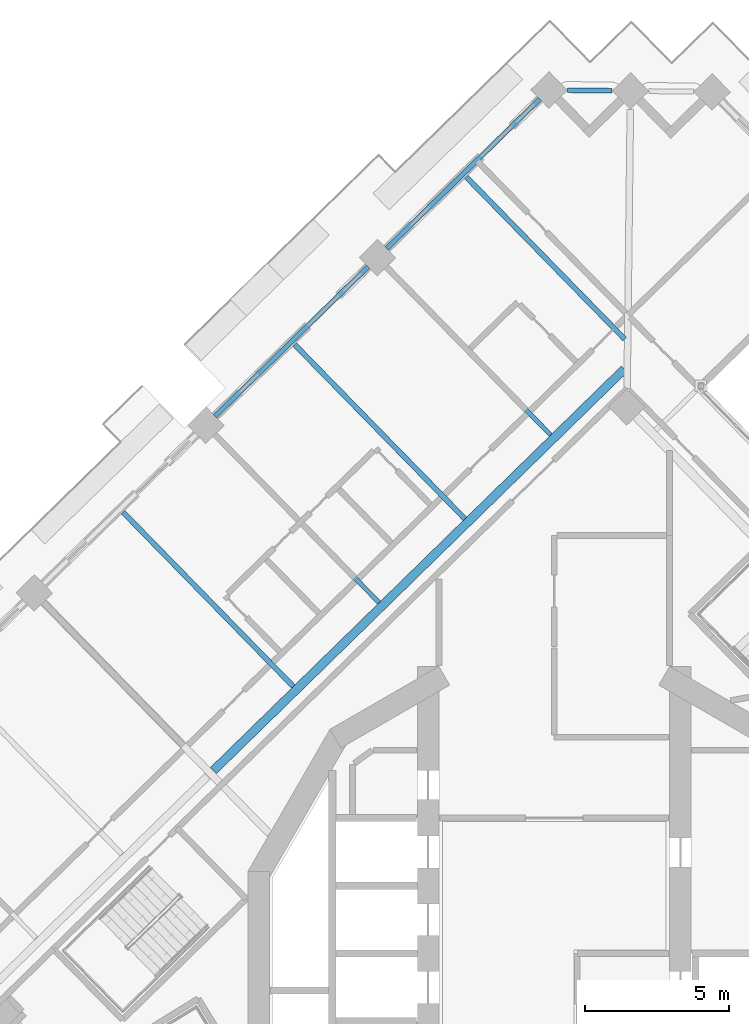
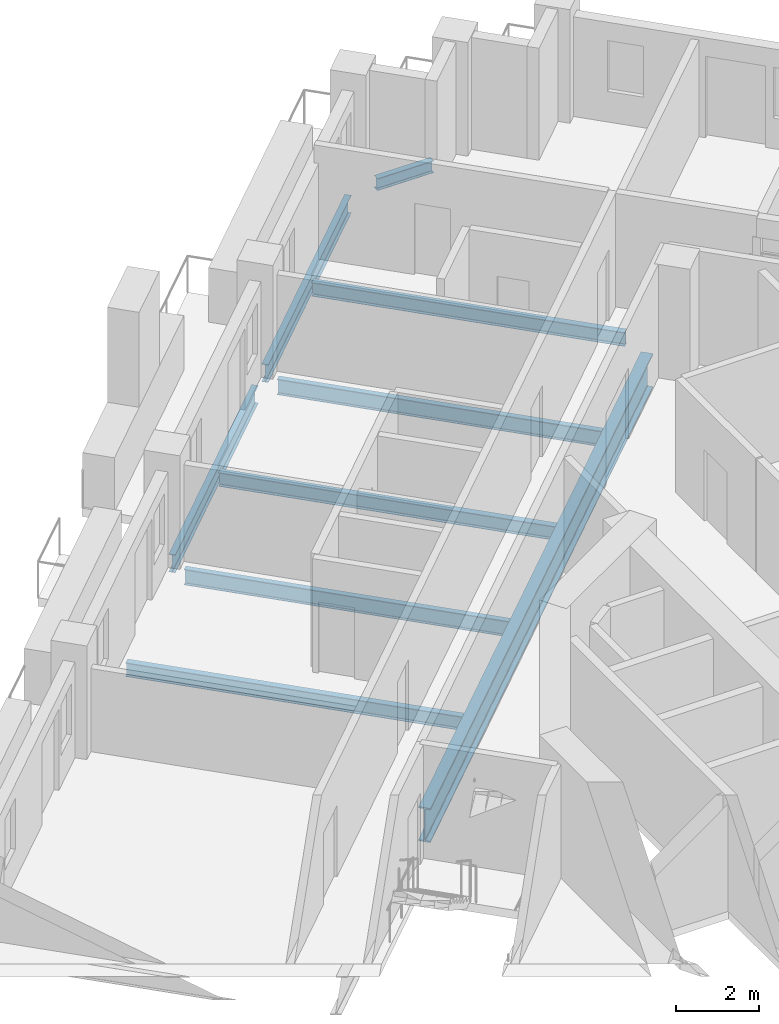
# One storey, part 2 of 20: 9 beams.
"""IFC4 building model written with IfcOpenShell, lengths in metres."""

from ifc_helpers import new_model, si_unit, direction, frame, origin, origin_2d, place, context, subcontext, project, spatial, i_section, extrude, material, material_profile, profile_set, type_object, element, save


model = new_model("IFC4")

# Units and contexts
model_context = context("Model", 3, precision=1e-05, world=origin(), true_north=direction((0.0, 1.0)))
body_context = subcontext(model_context, "Body", "Model", "MODEL_VIEW")
ifc_project = project(units=[si_unit("LENGTHUNIT", "METRE"), si_unit("AREAUNIT", "SQUARE_METRE"), si_unit("VOLUMEUNIT", "CUBIC_METRE"), si_unit("PLANEANGLEUNIT", "RADIAN"), si_unit("MASSUNIT", "GRAM", prefix="KILO")], contexts=[model_context])

# Site, building, storey
site_placement = place(None, origin())
site = spatial("IfcSite", under=ifc_project, at=site_placement, CompositionType="ELEMENT")
building_placement = place(site_placement, origin())
building = spatial("IfcBuilding", under=site, at=building_placement, Name="Cantera Rosa Tower", CompositionType="ELEMENT")
storey_placement = place(building_placement, frame((0.0, 0.0, 209.0)))
storey = spatial("IfcBuildingStorey", under=building, at=storey_placement, Name="L44", CompositionType="ELEMENT", Elevation=209.0)

# Beams
ifc_material_1 = material(Name="Steel ASTM A992 (Fy 345 MPa)", Category="steel")
ifc_material_profile_1 = material_profile(ifc_material_1, i_section(OverallWidth=0.302001953125, OverallDepth=1.010009765625, WebThickness=0.02099609375, FlangeThickness=0.0400390625, FilletRadius=0.030029296875, at=origin_2d()), Name="W1000X350")
ifc_profile_set_1 = profile_set([ifc_material_profile_1], Name="Steel ASTM A992 (Fy 345 MPa)")
beam_type_1 = type_object("IfcBeamType", Name="STEEL BEAM W1000X350", PredefinedType="BEAM", material=ifc_profile_set_1)
beam_1_placement = place(storey_placement, frame((-11.813232421875, 6.353271484375, -0.7548828125), z_axis=(0.715280810147, 0.698837150297, 0.0), x_axis=(-0.698837150297, 0.715280810147, 0.0)))
element("IfcBeam", 1, at=beam_1_placement, inside=storey, type_object=beam_type_1, Name="RB-Z4-02 L44", PredefinedType="BEAM", context=body_context, shape_type="SweptSolid", body=[
    extrude(i_section(OverallWidth=0.302001953125, OverallDepth=1.010009765625, WebThickness=0.02099609375, FlangeThickness=0.0400390625, FilletRadius=0.030029296875, at=origin_2d()), origin(), (0.0, 0.0, 1.0), 19.909912109375),
])
ifc_material_2 = material(Name="Steel ASTM A992 (Fy 345 MPa)", Category="steel")
ifc_material_profile_2 = material_profile(ifc_material_2, i_section(OverallWidth=0.154052734375, OverallDepth=0.4599609375, WebThickness=0.009033203125, FlangeThickness=0.015380859375, FilletRadius=0.01025390625, at=origin_2d()), Name="W460X68")
ifc_profile_set_2 = profile_set([ifc_material_profile_2], Name="Steel ASTM A992 (Fy 345 MPa)")
beam_type_2 = type_object("IfcBeamType", Name="STEEL BEAM W460X68", PredefinedType="BEAM", material=ifc_profile_set_2)
for number, where, z_axis, x_axis, name in (
    (2, (-5.818603515625, 23.81396484375, -0.47998046875), (0.698836133494, -0.715281803574, 0.0), (0.715281803574, 0.698836133494, 0.0), "G-Z4-05 L44"),
    (3, (-11.769775390625, 17.999755859375, -0.47998046875), (0.698836133494, -0.715281803574, 0.0), (0.715281803574, 0.698836133494, 0.0), "G-Z4-06 L44"),
):
    element("IfcBeam", number, at=place(storey_placement, frame(where, z_axis=z_axis, x_axis=x_axis)), inside=storey, type_object=beam_type_2, Name=name, PredefinedType="BEAM", context=body_context, shape_type="SweptSolid", body=[
        extrude(i_section(OverallWidth=0.154052734375, OverallDepth=0.4599609375, WebThickness=0.009033203125, FlangeThickness=0.015380859375, FilletRadius=0.01025390625, at=origin_2d()), origin(), (0.0, 0.0, 1.0), 8.150146484375),
    ])
ifc_material_3 = material(Name="Steel ASTM A992 (Fy 345 MPa)", Category="steel")
ifc_material_profile_3 = material_profile(ifc_material_3, i_section(OverallWidth=0.177978515625, OverallDepth=0.406005859375, WebThickness=0.0078125, FlangeThickness=0.0126953125, FilletRadius=0.01025390625, at=origin_2d()), Name="W410X60")
ifc_profile_set_3 = profile_set([ifc_material_profile_3], Name="Steel ASTM A992 (Fy 345 MPa)")
beam_type_3 = type_object("IfcBeamType", Name="STEEL JOIST W410X60", PredefinedType="JOIST", material=ifc_profile_set_3)
beam_2_placement = place(storey_placement, frame((-3.052734375, 26.935791015625, -0.452880859375), z_axis=(0.698827868311, -0.715289878631, 0.0), x_axis=(0.715289878631, 0.698827868311, 0.0)))
element("IfcBeam", 4, at=beam_2_placement, inside=storey, type_object=beam_type_3, Name="B-Z4-06 L44", PredefinedType="JOIST", context=body_context, shape_type="SweptSolid", body=[
    extrude(i_section(OverallWidth=0.177978515625, OverallDepth=0.406005859375, WebThickness=0.0078125, FlangeThickness=0.0126953125, FilletRadius=0.01025390625, at=origin_2d()), origin(), (0.0, 0.0, 1.0), 7.860107421875),
])
for number, where, z_axis, x_axis, name in (
    (5, (-9.00390625, 21.121337890625, -0.452880859375), (0.698839235604, -0.715278772774, 0.0), (0.715278772774, 0.698839235604, 0.0), "B-Z4-07 L44"),
    (6, (-14.955078125, 15.30712890625, -0.452880859375), (0.698839235604, -0.715278772774, 0.0), (0.715278772774, 0.698839235604, 0.0), "B-Z4-08 L44"),
):
    element("IfcBeam", number, at=place(storey_placement, frame(where, z_axis=z_axis, x_axis=x_axis)), inside=storey, type_object=beam_type_3, Name=name, PredefinedType="JOIST", context=body_context, shape_type="SweptSolid", body=[
        extrude(i_section(OverallWidth=0.177978515625, OverallDepth=0.406005859375, WebThickness=0.0078125, FlangeThickness=0.0126953125, FilletRadius=0.01025390625, at=origin_2d()), origin(), (0.0, 0.0, 1.0), 8.4501953125),
    ])
ifc_material_4 = material(Name="Steel ASTM A992 (Fy 345 MPa)", Category="steel")
ifc_material_profile_4 = material_profile(ifc_material_4, i_section(OverallWidth=0.1708984375, OverallDepth=0.35595703125, WebThickness=0.00732421875, FlangeThickness=0.01171875, FilletRadius=0.010009765625, at=origin_2d()), Name="W360X51")
ifc_profile_set_4 = profile_set([ifc_material_profile_4], Name="Steel ASTM A992 (Fy 345 MPa)")
beam_type_4 = type_object("IfcBeamType", Name="STEEL SPANDREL BEAM W360X51", PredefinedType="SPANDREL", material=ifc_profile_set_4)
beam_3_placement = place(storey_placement, frame((2.010009765625, 29.924560546875, -0.427978515625), z_axis=(-0.99993255119, 0.011614347636, 0.0), x_axis=(-0.011614347636, -0.99993255119, 0.0)))
element("IfcBeam", 7, at=beam_3_placement, inside=storey, type_object=beam_type_4, Name="EB-Z4-07 L44", PredefinedType="SPANDREL", context=body_context, shape_type="SweptSolid", body=[
    extrude(i_section(OverallWidth=0.1708984375, OverallDepth=0.35595703125, WebThickness=0.00732421875, FlangeThickness=0.01171875, FilletRadius=0.010009765625, at=origin_2d()), origin(), (0.0, 0.0, 1.0), 1.555419921875),
])
ifc_material_5 = material(Name="Steel ASTM A992 (Fy 345 MPa)", Category="steel")
ifc_material_profile_5 = material_profile(ifc_material_5, i_section(OverallWidth=0.166015625, OverallDepth=0.528076171875, WebThickness=0.009765625, FlangeThickness=0.013671875, FilletRadius=0.0126953125, at=origin_2d()), Name="W530X74")
ifc_profile_set_5 = profile_set([ifc_material_profile_5], Name="Steel ASTM A992 (Fy 345 MPa)")
beam_type_5 = type_object("IfcBeamType", Name="STEEL SPANDREL BEAM W530X74", PredefinedType="SPANDREL", material=ifc_profile_set_5)
beam_4_placement = place(storey_placement, frame((-0.503662109375, 29.6357421875, -0.513916015625), z_axis=(-0.715284379566, -0.698833496871, 0.0), x_axis=(0.698833496871, -0.715284379566, 0.0)))
element("IfcBeam", 8, at=beam_4_placement, inside=storey, type_object=beam_type_5, Name="EB-Z4-08 L44", PredefinedType="SPANDREL", context=body_context, shape_type="SweptSolid", body=[
    extrude(i_section(OverallWidth=0.166015625, OverallDepth=0.528076171875, WebThickness=0.009765625, FlangeThickness=0.013671875, FilletRadius=0.0126953125, at=origin_2d()), origin(), (0.0, 0.0, 1.0), 7.42041015625),
])
beam_5_placement = place(storey_placement, frame((-6.454833984375, 23.8212890625, -0.513916015625), z_axis=(-0.715300826176, -0.698816662703, 0.0), x_axis=(0.698816662703, -0.715300826176, 0.0)))
element("IfcBeam", 9, at=beam_5_placement, inside=storey, type_object=beam_type_5, Name="EB-Z4-09 L44", PredefinedType="SPANDREL", context=body_context, shape_type="SweptSolid", body=[
    extrude(i_section(OverallWidth=0.166015625, OverallDepth=0.528076171875, WebThickness=0.009765625, FlangeThickness=0.013671875, FilletRadius=0.0126953125, at=origin_2d()), origin(), (0.0, 0.0, 1.0), 7.420166015625),
])

save(model, "model.ifc")
